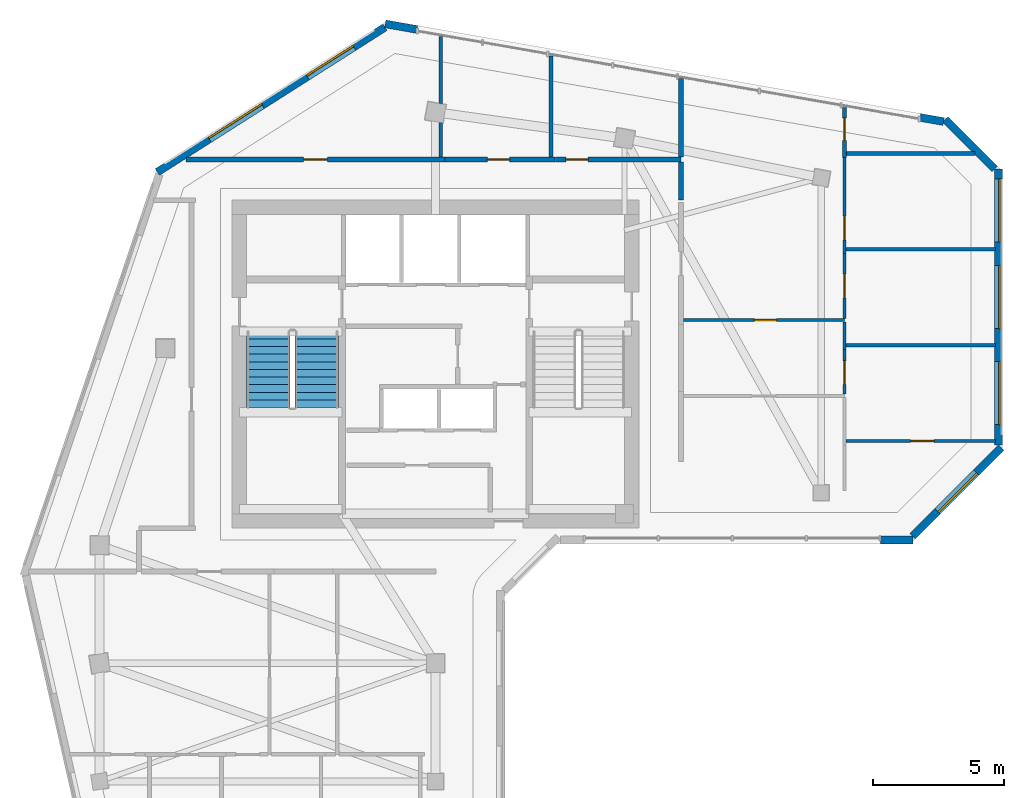
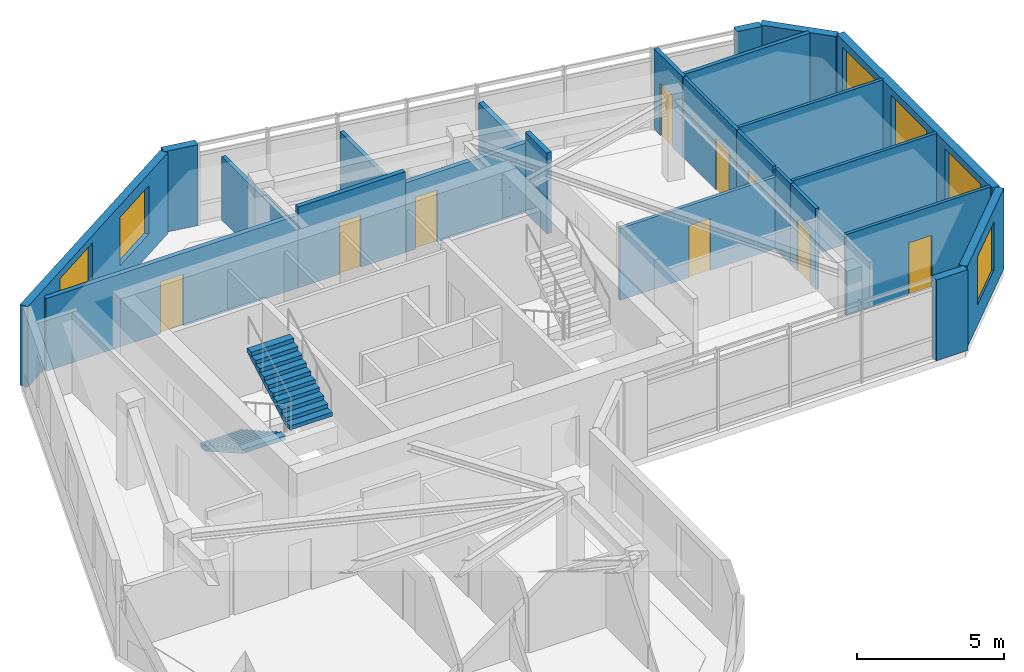
# One storey, part 6 of 10: 24 walls, 9 doors, 6 windows, 2 stair flights, 15 openings, 1 element without a shape of its own.
"""IFC4 building model written with IfcOpenShell, lengths in metres."""

from ifc_helpers import new_model, si_unit, direction, frame, frame_2d, origin, place, context, subcontext, project, spatial, polyline, rectangle, outline, extrude, source, transform, mapped, material, layer, layer_set, type_object, element, fill, aggregate, save


model = new_model("IFC4")

# Units and contexts
model_context = context("Model", 3, precision=1e-05, world=origin(), true_north=direction((0.0, 1.0)))
body_context = subcontext(model_context, "Body", "Model", "MODEL_VIEW")
ifc_project = project(units=[si_unit("LENGTHUNIT", "METRE"), si_unit("AREAUNIT", "SQUARE_METRE"), si_unit("VOLUMEUNIT", "CUBIC_METRE"), si_unit("PLANEANGLEUNIT", "RADIAN"), si_unit("MASSUNIT", "GRAM", prefix="KILO")], contexts=[model_context])

# Site, building, storey
site_placement = place(None, origin())
site = spatial("IfcSite", under=ifc_project, at=site_placement, CompositionType="ELEMENT")
building_placement = place(site_placement, origin())
building = spatial("IfcBuilding", under=site, at=building_placement, Name="Calvemar Wedge Station Tower", CompositionType="ELEMENT")
storey_placement = place(building_placement, frame((0.0, 0.0, 252.89990234375)))
storey = spatial("IfcBuildingStorey", under=building, at=storey_placement, Name="L64", CompositionType="ELEMENT", Elevation=252.89990234375)

# Wall, opening, door
ifc_material_1 = material(Name="Double-stud fire-rated corridor partition")
ifc_layer_1 = layer(ifc_material_1, 0.179931640625)
ifc_layer_set_1 = layer_set([ifc_layer_1], Name="Double-stud fire-rated corridor partition")
wall_type_1 = type_object("IfcWallType", Name="W-CORR-180", PredefinedType="PARTITIONING", material=ifc_layer_set_1)
wall_1_placement = place(storey_placement, frame((14.29541015625, 47.699951171875, 0.0), z_axis=(0.0, 0.0, 1.0), x_axis=(1.0, 0.0, 0.0)))
wall_1 = element("IfcWall", 1, at=wall_1_placement, inside=storey, type_object=wall_type_1, Name="Storey L64 Interior Partition WL-L64-014", PredefinedType="PARTITIONING", context=body_context, shape_type="SweptSolid", body=[
    extrude(rectangle(XDim=9.864501953125, YDim=0.179931640625, at=frame_2d((4.93212890625, 0.0))), origin(), (0.0, 0.0, 1.0), 3.01904296875),
])
shared_shape_1 = source(origin(), body_context, "Body", "SweptSolid", [
    extrude(rectangle(XDim=0.89990234375, YDim=2.14990234375, at=frame_2d((0.449951171875, 1.074951171875))), frame((0.0, 0.10009765625, 0.0), z_axis=(0.0, -1.0, 0.0), x_axis=(1.0, 0.0, 0.0)), (0.0, 0.0, 1.0), 0.199951171875),
])
opening_1_placement = place(wall_1_placement, frame((4.482421875, 0.0, 0.0)))
opening_1 = element("IfcOpeningElement", 2, at=opening_1_placement, cuts=wall_1, Name="Opening D-01", PredefinedType="OPENING", context=body_context, shape_type="MappedRepresentation", body=[
    mapped(shared_shape_1, transform((0.0, 0.0, 0.0), scale=1.0)),
])
ifc_material_2 = material(Name="Architectural hardwood acoustic swing door", Category="wood")
door_type_1 = type_object("IfcDoorType", Name="DR-INT-900", OperationType="NOTDEFINED", PredefinedType="DOOR", material=ifc_material_2)
shared_shape_2 = source(origin(), body_context, "Body", "SweptSolid", [
    extrude(rectangle(XDim=0.89990234375, YDim=2.14990234375, at=frame_2d((0.449951171875, 1.074951171875))), frame((0.0, 0.02490234375, 0.0), z_axis=(0.0, -1.0, 0.0), x_axis=(1.0, 0.0, 0.0)), (0.0, 0.0, 1.0), 0.050048828125),
])
door_1_placement = place(opening_1_placement, origin())
door_1 = element("IfcDoor", 3, at=door_1_placement, inside=storey, type_object=door_type_1, Name="L64 Sky Reading Library Door", OperationType="SINGLE_SWING_LEFT", OverallHeight=2.14990234375, OverallWidth=0.89990234375, PredefinedType="DOOR", context=body_context, shape_type="MappedRepresentation", body=[
    mapped(shared_shape_2, transform((0.0, 0.0, 0.0), scale=1.0)),
])
fill(opening_1, door_1)

wall_2_placement = place(storey_placement, frame((24.162109375, 47.699951171875, 0.0), z_axis=(0.0, 0.0, 1.0), x_axis=(1.0, 0.0, 0.0)))
wall_2 = element("IfcWall", 4, at=wall_2_placement, inside=storey, type_object=wall_type_1, Name="Storey L64 Interior Partition WL-L64-015", PredefinedType="PARTITIONING", context=body_context, shape_type="SweptSolid", body=[
    extrude(rectangle(XDim=4.197998046875, YDim=0.179931640625, at=frame_2d((2.09912109375, 0.0))), origin(), (0.0, 0.0, 1.0), 3.35009765625),
])
shared_shape_3 = source(origin(), body_context, "Body", "SweptSolid", [
    extrude(rectangle(XDim=0.85009765625, YDim=2.14990234375, at=frame_2d((0.425048828125, 1.074951171875))), frame((0.0, 0.10009765625, 0.0), z_axis=(0.0, -1.0, 0.0), x_axis=(1.0, 0.0, 0.0)), (0.0, 0.0, 1.0), 0.199951171875),
])
opening_2_placement = place(wall_2_placement, frame((1.61328125, 0.0, 0.0)))
opening_2 = element("IfcOpeningElement", 5, at=opening_2_placement, cuts=wall_2, Name="Opening D-02", PredefinedType="OPENING", context=body_context, shape_type="MappedRepresentation", body=[
    mapped(shared_shape_3, transform((0.0, 0.0, 0.0), scale=1.0)),
])
ifc_material_3 = material(Name="Moisture-sealed bathroom hardwood swing door", Category="wood")
door_type_2 = type_object("IfcDoorType", Name="DR-WET-850", OperationType="NOTDEFINED", PredefinedType="DOOR", material=ifc_material_3)
shared_shape_4 = source(origin(), body_context, "Body", "SweptSolid", [
    extrude(rectangle(XDim=0.85009765625, YDim=2.14990234375, at=frame_2d((0.425048828125, 1.074951171875))), frame((0.0, 0.02490234375, 0.0), z_axis=(0.0, -1.0, 0.0), x_axis=(1.0, 0.0, 0.0)), (0.0, 0.0, 1.0), 0.050048828125),
])
door_2_placement = place(opening_2_placement, origin())
door_2 = element("IfcDoor", 6, at=door_2_placement, inside=storey, type_object=door_type_2, Name="L64 Accessible WC Door", OperationType="SINGLE_SWING_RIGHT", OverallHeight=2.14990234375, OverallWidth=0.85009765625, PredefinedType="DOOR", context=body_context, shape_type="MappedRepresentation", body=[
    mapped(shared_shape_4, transform((0.0, 0.0, 0.0), scale=1.0)),
])
fill(opening_2, door_2)

wall_3_placement = place(storey_placement, frame((28.362060546875, 47.699951171875, 0.0), z_axis=(0.0, 0.0, 1.0), x_axis=(1.0, 0.0, 0.0)))
wall_3 = element("IfcWall", 7, at=wall_3_placement, inside=storey, type_object=wall_type_1, Name="Storey L64 Interior Partition WL-L64-016", PredefinedType="PARTITIONING", context=body_context, shape_type="SweptSolid", body=[
    extrude(rectangle(XDim=4.787841796875, YDim=0.179931640625, at=frame_2d((2.39404296875, 0.0))), origin(), (0.0, 0.0, 1.0), 2.879150390625),
])
opening_3_placement = place(wall_3_placement, frame((0.400634765625, 0.0, 0.0)))
opening_3 = element("IfcOpeningElement", 8, at=opening_3_placement, cuts=wall_3, Name="Opening D-02", PredefinedType="OPENING", context=body_context, shape_type="MappedRepresentation", body=[
    mapped(shared_shape_3, transform((0.0, 0.0, 0.0), scale=1.0)),
])
door_3_placement = place(opening_3_placement, origin())
door_3 = element("IfcDoor", 9, at=door_3_placement, inside=storey, type_object=door_type_2, Name="L64 Storage Room Door", OperationType="SINGLE_SWING_LEFT", OverallHeight=2.14990234375, OverallWidth=0.85009765625, PredefinedType="DOOR", context=body_context, shape_type="MappedRepresentation", body=[
    mapped(shared_shape_4, transform((0.0, 0.0, 0.0), scale=1.0)),
])
fill(opening_3, door_3)

# Walls
wall_4_placement = place(storey_placement, frame((33.14990234375, 47.60595703125, 0.0), z_axis=(0.0, 0.0, 1.0), x_axis=(0.0, -1.0, 0.0)))
element("IfcWall", 10, at=wall_4_placement, inside=storey, type_object=wall_type_1, Name="Storey L64 Interior Partition WL-L64-017", PredefinedType="PARTITIONING", context=body_context, shape_type="SweptSolid", body=[
    extrude(rectangle(XDim=1.4560546875, YDim=0.179931640625, at=frame_2d((0.72802734375, 0.0))), origin(), (0.0, 0.0, 1.0), 3.35009765625),
])
ifc_material_4 = material(Name="Twin-stud fire-rated inter-tenancy wall")
ifc_layer_2 = layer(ifc_material_4, 0.199951171875)
ifc_layer_set_2 = layer_set([ifc_layer_2], Name="Twin-stud fire-rated inter-tenancy wall")
wall_type_2 = type_object("IfcWallType", Name="W-DEMISE-200", PredefinedType="PARTITIONING", material=ifc_layer_set_2)
wall_5_placement = place(storey_placement, frame((33.14990234375, 50.7802734375, 0.0), z_axis=(0.0, 0.0, 1.0), x_axis=(0.0, -1.0, 0.0)))
element("IfcWall", 11, at=wall_5_placement, inside=storey, type_object=wall_type_2, Name="Storey L64 Interior Partition WL-L64-024", PredefinedType="PARTITIONING", context=body_context, shape_type="SweptSolid", body=[
    extrude(rectangle(XDim=2.986328125, YDim=0.199951171875, at=frame_2d((1.4931640625, 0.0))), origin(), (0.0, 0.0, 1.0), 2.64208984375),
])
ifc_material_5 = material(Name="Precast concrete C45", Category="concrete")
ifc_layer_3 = layer(ifc_material_5, 0.300048828125)
ifc_layer_set_3 = layer_set([ifc_layer_3], Name="Precast concrete C45")
wall_type_3 = type_object("IfcWallType", Name="W-EXT-GFRC-300", PredefinedType="SOLIDWALL", material=ifc_layer_set_3)
wall_6_placement = place(storey_placement, frame((40.7578125, 33.2060546875, 0.0), z_axis=(0.0, 0.0, 1.0), x_axis=(1.0, 0.0, 0.0)))
element("IfcWall", 12, at=wall_6_placement, inside=storey, type_object=wall_type_3, Name="Storey L64 Bronze GFRC Corner Pier 6B", PredefinedType="SOLIDWALL", context=body_context, shape_type="SweptSolid", body=[
    extrude(rectangle(XDim=1.22998046875, YDim=0.300048828125, at=frame_2d((0.614990234375, 0.0))), origin(), (0.0, 0.0, 1.0), 3.35009765625),
])

# Wall, opening, window
wall_7_placement = place(storey_placement, frame((41.975830078125, 33.343994140625, 0.0), z_axis=(0.0, 0.0, 1.0), x_axis=(0.707132316343, 0.707081245108, 0.0)))
wall_7 = element("IfcWall", 13, at=wall_7_placement, inside=storey, type_object=wall_type_3, Name="Storey L64 Bronze GFRC Exterior Wall 7", PredefinedType="SOLIDWALL", context=body_context, shape_type="SweptSolid", body=[
    extrude(rectangle(XDim=4.7802734375, YDim=0.300048828125, at=frame_2d((2.39013671875, 0.0))), origin(), (0.0, 0.0, 1.0), 3.35009765625),
])
shared_shape_5 = source(origin(), body_context, "Body", "SweptSolid", [
    extrude(rectangle(XDim=2.10009765625, YDim=2.0, at=frame_2d((1.050048828125, 1.0))), frame((0.0, 0.16015625, 0.0), z_axis=(0.0, -1.0, 0.0), x_axis=(1.0, 0.0, 0.0)), (0.0, 0.0, 1.0), 0.320068359375),
])
opening_4_placement = place(wall_7_placement, frame((1.340087890625, 0.0, 0.85009765625)))
opening_4 = element("IfcOpeningElement", 14, at=opening_4_placement, cuts=wall_7, Name="Opening W4", PredefinedType="OPENING", context=body_context, shape_type="MappedRepresentation", body=[
    mapped(shared_shape_5, transform((0.0, 0.0, 0.0), scale=1.0)),
])
ifc_material_6 = material(Name="Low-E laminated insulated glass", Category="glass")
window_type_1 = type_object("IfcWindowType", Name="WIN-EXT-4", PartitioningType="SINGLE_PANEL", PredefinedType="WINDOW", material=ifc_material_6)
shared_shape_6 = source(origin(), body_context, "Body", "SweptSolid", [
    extrude(rectangle(XDim=2.10009765625, YDim=2.0, at=frame_2d((1.050048828125, 1.0))), frame((0.0, -0.014892578125, 0.0), z_axis=(0.0, -1.0, 0.0), x_axis=(1.0, 0.0, 0.0)), (0.0, 0.0, 1.0), 0.06005859375),
])
window_1_placement = place(opening_4_placement, origin())
window_1 = element("IfcWindow", 15, at=window_1_placement, inside=storey, type_object=window_type_1, Name="Storey L64 Recessed Window 7.1", OverallHeight=2.0, OverallWidth=2.10009765625, PartitioningType="SINGLE_PANEL", PredefinedType="WINDOW", context=body_context, shape_type="MappedRepresentation", body=[
    mapped(shared_shape_6, transform((0.0, 0.0, 0.0), scale=1.0)),
])
fill(opening_4, window_1)

# Wall, openings, windows
wall_8_placement = place(storey_placement, frame((45.25, 36.813232421875, 0.0), z_axis=(0.0, 0.0, 1.0), x_axis=(0.0, 1.0, 0.0)))
wall_8 = element("IfcWall", 16, at=wall_8_placement, inside=storey, type_object=wall_type_3, Name="Storey L64 Bronze GFRC Exterior Wall 8", PredefinedType="SOLIDWALL", context=body_context, shape_type="SweptSolid", body=[
    extrude(rectangle(XDim=10.53076171875, YDim=0.300048828125, at=frame_2d((5.265380859375, 0.0))), origin(), (0.0, 0.0, 1.0), 3.35009765625),
])
shared_shape_7 = source(origin(), body_context, "Body", "SweptSolid", [
    extrude(rectangle(XDim=2.39990234375, YDim=2.199951171875, at=frame_2d((1.199951171875, 1.10009765625))), frame((0.0, 0.16015625, 0.0), z_axis=(0.0, -1.0, 0.0), x_axis=(1.0, 0.0, 0.0)), (0.0, 0.0, 1.0), 0.320068359375),
])
opening_5_placement = place(wall_8_placement, frame((0.785888671875, 0.0, 0.85009765625)))
opening_5 = element("IfcOpeningElement", 17, at=opening_5_placement, cuts=wall_8, Name="Opening W1", PredefinedType="OPENING", context=body_context, shape_type="MappedRepresentation", body=[
    mapped(shared_shape_7, transform((0.0, 0.0, 0.0), scale=1.0)),
])
opening_6_placement = place(wall_8_placement, frame((4.43896484375, 0.0, 0.85009765625)))
opening_6 = element("IfcOpeningElement", 18, at=opening_6_placement, cuts=wall_8, Name="Opening W1", PredefinedType="OPENING", context=body_context, shape_type="MappedRepresentation", body=[
    mapped(shared_shape_7, transform((0.0, 0.0, 0.0), scale=1.0)),
])
opening_7_placement = place(wall_8_placement, frame((7.748046875, 0.0, 0.85009765625)))
opening_7 = element("IfcOpeningElement", 19, at=opening_7_placement, cuts=wall_8, Name="Opening W1", PredefinedType="OPENING", context=body_context, shape_type="MappedRepresentation", body=[
    mapped(shared_shape_7, transform((0.0, 0.0, 0.0), scale=1.0)),
])
window_type_2 = type_object("IfcWindowType", Name="WIN-EXT-1", PartitioningType="SINGLE_PANEL", PredefinedType="WINDOW", material=ifc_material_6)
shared_shape_8 = source(origin(), body_context, "Body", "SweptSolid", [
    extrude(rectangle(XDim=2.39990234375, YDim=2.199951171875, at=frame_2d((1.199951171875, 1.10009765625))), frame((0.0, -0.014892578125, 0.0), z_axis=(0.0, -1.0, 0.0), x_axis=(1.0, 0.0, 0.0)), (0.0, 0.0, 1.0), 0.06005859375),
])
window_2_placement = place(opening_5_placement, origin())
window_2 = element("IfcWindow", 20, at=window_2_placement, inside=storey, type_object=window_type_2, Name="Storey L64 Recessed Window 8.1", OverallHeight=2.199951171875, OverallWidth=2.39990234375, PartitioningType="SINGLE_PANEL", PredefinedType="WINDOW", context=body_context, shape_type="MappedRepresentation", body=[
    mapped(shared_shape_8, transform((0.0, 0.0, 0.0), scale=1.0)),
])
fill(opening_5, window_2)
window_3_placement = place(opening_6_placement, origin())
window_3 = element("IfcWindow", 21, at=window_3_placement, inside=storey, type_object=window_type_2, Name="Storey L64 Recessed Window 8.2", OverallHeight=2.199951171875, OverallWidth=2.39990234375, PartitioningType="SINGLE_PANEL", PredefinedType="WINDOW", context=body_context, shape_type="MappedRepresentation", body=[
    mapped(shared_shape_8, transform((0.0, 0.0, 0.0), scale=1.0)),
])
fill(opening_6, window_3)
window_4_placement = place(opening_7_placement, origin())
window_4 = element("IfcWindow", 22, at=window_4_placement, inside=storey, type_object=window_type_2, Name="Storey L64 Recessed Window 8.3", OverallHeight=2.199951171875, OverallWidth=2.39990234375, PartitioningType="SINGLE_PANEL", PredefinedType="WINDOW", context=body_context, shape_type="MappedRepresentation", body=[
    mapped(shared_shape_8, transform((0.0, 0.0, 0.0), scale=1.0)),
])
fill(opening_7, window_4)

# Walls
wall_9_placement = place(storey_placement, frame((45.112060546875, 47.331787109375, 0.0), z_axis=(0.0, 0.0, 1.0), x_axis=(-0.707106781187, 0.707106781187, 0.0)))
element("IfcWall", 23, at=wall_9_placement, inside=storey, type_object=wall_type_3, Name="Storey L64 Bronze GFRC Exterior Wall 9", PredefinedType="SOLIDWALL", context=body_context, shape_type="SweptSolid", body=[
    extrude(rectangle(XDim=2.673828125, YDim=0.300048828125, at=frame_2d((1.3369140625, 0.0))), origin(), (0.0, 0.0, 1.0), 3.35009765625),
])
wall_10_placement = place(storey_placement, frame((43.161376953125, 49.1455078125, 0.0), z_axis=(0.0, 0.0, 1.0), x_axis=(-0.985052066521, 0.172256861238, 0.0)))
element("IfcWall", 24, at=wall_10_placement, inside=storey, type_object=wall_type_3, Name="Storey L64 Bronze GFRC Corner Pier 10A", PredefinedType="SOLIDWALL", context=body_context, shape_type="SweptSolid", body=[
    extrude(rectangle(XDim=0.911376953125, YDim=0.300048828125, at=frame_2d((0.45556640625, 0.0))), origin(), (0.0, 0.0, 1.0), 3.35009765625),
])
wall_11_placement = place(storey_placement, frame((23.09521484375, 52.656005859375, 0.0), z_axis=(0.0, 0.0, 1.0), x_axis=(-0.985008549623, 0.172505527937, 0.0)))
element("IfcWall", 25, at=wall_11_placement, inside=storey, type_object=wall_type_3, Name="Storey L64 Bronze GFRC Corner Pier 10B", PredefinedType="SOLIDWALL", context=body_context, shape_type="SweptSolid", body=[
    extrude(rectangle(XDim=1.22998046875, YDim=0.300048828125, at=frame_2d((0.614990234375, 0.0))), origin(), (0.0, 0.0, 1.0), 3.35009765625),
])

# Wall, openings, windows
wall_12_placement = place(storey_placement, frame((21.873779296875, 52.741943359375, 0.0), z_axis=(0.0, 0.0, 1.0), x_axis=(-0.84365659959, -0.536883173482, 0.0)))
wall_12 = element("IfcWall", 26, at=wall_12_placement, inside=storey, type_object=wall_type_3, Name="Storey L64 Bronze GFRC Exterior Wall 11", PredefinedType="SOLIDWALL", context=body_context, shape_type="SweptSolid", body=[
    extrude(rectangle(XDim=10.282958984375, YDim=0.300048828125, at=frame_2d((5.1416015625, 0.0))), origin(), (0.0, 0.0, 1.0), 3.35009765625),
])
opening_8_placement = place(wall_12_placement, frame((1.409912109375, 0.0, 0.85009765625)))
opening_8 = element("IfcOpeningElement", 27, at=opening_8_placement, cuts=wall_12, Name="Opening W4", PredefinedType="OPENING", context=body_context, shape_type="MappedRepresentation", body=[
    mapped(shared_shape_5, transform((0.0, 0.0, 0.0), scale=1.0)),
])
opening_9_placement = place(wall_12_placement, frame((5.5400390625, 0.0, 0.85009765625)))
opening_9 = element("IfcOpeningElement", 28, at=opening_9_placement, cuts=wall_12, Name="Opening W1", PredefinedType="OPENING", context=body_context, shape_type="MappedRepresentation", body=[
    mapped(shared_shape_7, transform((0.0, 0.0, 0.0), scale=1.0)),
])
window_5_placement = place(opening_8_placement, origin())
window_5 = element("IfcWindow", 29, at=window_5_placement, inside=storey, type_object=window_type_1, Name="Storey L64 Recessed Window 11.1", OverallHeight=2.0, OverallWidth=2.10009765625, PartitioningType="SINGLE_PANEL", PredefinedType="WINDOW", context=body_context, shape_type="MappedRepresentation", body=[
    mapped(shared_shape_6, transform((0.0, 0.0, 0.0), scale=1.0)),
])
fill(opening_8, window_5)
window_6_placement = place(opening_9_placement, origin())
window_6 = element("IfcWindow", 30, at=window_6_placement, inside=storey, type_object=window_type_2, Name="Storey L64 Recessed Window 11.2", OverallHeight=2.199951171875, OverallWidth=2.39990234375, PartitioningType="SINGLE_PANEL", PredefinedType="WINDOW", context=body_context, shape_type="MappedRepresentation", body=[
    mapped(shared_shape_8, transform((0.0, 0.0, 0.0), scale=1.0)),
])
fill(opening_9, window_6)

# Wall, opening, door
ifc_material_7 = material(Name="Insulated acoustic gypsum stud partition")
ifc_layer_4 = layer(ifc_material_7, 0.125)
ifc_layer_set_4 = layer_set([ifc_layer_4], Name="Insulated acoustic gypsum stud partition")
wall_type_4 = type_object("IfcWallType", Name="W-PART-125", PredefinedType="PARTITIONING", material=ifc_layer_set_4)
wall_13_placement = place(storey_placement, frame((39.382080078125, 41.580078125, 0.0), z_axis=(0.0, 0.0, 1.0), x_axis=(-1.0, 0.0, 0.0)))
wall_13 = element("IfcWall", 31, at=wall_13_placement, inside=storey, type_object=wall_type_4, Name="Storey L64 Interior Partition WL-L64-028", PredefinedType="PARTITIONING", context=body_context, shape_type="SweptSolid", body=[
    extrude(rectangle(XDim=6.13818359375, YDim=0.125, at=frame_2d((3.069091796875, 0.0))), origin(), (0.0, 0.0, 1.0), 2.97900390625),
])
shared_shape_9 = source(origin(), body_context, "Body", "SweptSolid", [
    extrude(rectangle(XDim=0.85009765625, YDim=2.14990234375, at=frame_2d((0.425048828125, 1.074951171875))), frame((0.0, 0.072509765625, 0.0), z_axis=(0.0, -1.0, 0.0), x_axis=(1.0, 0.0, 0.0)), (0.0, 0.0, 1.0), 0.14501953125),
])
opening_10_placement = place(wall_13_placement, frame((2.58349609375, 0.0, 0.0)))
opening_10 = element("IfcOpeningElement", 32, at=opening_10_placement, cuts=wall_13, Name="Opening D-02", PredefinedType="OPENING", context=body_context, shape_type="MappedRepresentation", body=[
    mapped(shared_shape_9, transform((0.0, 0.0, 0.0), scale=1.0)),
])
door_4_placement = place(opening_10_placement, origin())
door_4 = element("IfcDoor", 33, at=door_4_placement, inside=storey, type_object=door_type_2, Name="L64 Kitchen Door", OperationType="SINGLE_SWING_RIGHT", OverallHeight=2.14990234375, OverallWidth=0.85009765625, PredefinedType="DOOR", context=body_context, shape_type="MappedRepresentation", body=[
    mapped(shared_shape_4, transform((0.0, 0.0, 0.0), scale=1.0)),
])
fill(opening_10, door_4)

wall_14_placement = place(storey_placement, frame((39.382080078125, 47.76806640625, 0.0), z_axis=(0.0, 0.0, 1.0), x_axis=(0.0, -1.0, 0.0)))
wall_14 = element("IfcWall", 34, at=wall_14_placement, inside=storey, type_object=wall_type_4, Name="Storey L64 Interior Partition WL-L64-030", PredefinedType="PARTITIONING", context=body_context, shape_type="SweptSolid", body=[
    extrude(rectangle(XDim=3.650146484375, YDim=0.125, at=frame_2d((1.8251953125, 0.0))), origin(), (0.0, 0.0, 1.0), 3.35009765625),
])
shared_shape_10 = source(origin(), body_context, "Body", "SweptSolid", [
    extrude(rectangle(XDim=0.89990234375, YDim=2.14990234375, at=frame_2d((0.449951171875, 1.074951171875))), frame((0.0, 0.072509765625, 0.0), z_axis=(0.0, -1.0, 0.0), x_axis=(1.0, 0.0, 0.0)), (0.0, 0.0, 1.0), 0.14501953125),
])
opening_11_placement = place(wall_14_placement, frame((2.226806640625, 0.0, 0.0)))
opening_11 = element("IfcOpeningElement", 35, at=opening_11_placement, cuts=wall_14, Name="Opening D-01", PredefinedType="OPENING", context=body_context, shape_type="MappedRepresentation", body=[
    mapped(shared_shape_10, transform((0.0, 0.0, 0.0), scale=1.0)),
])
door_5_placement = place(opening_11_placement, origin())
door_5 = element("IfcDoor", 36, at=door_5_placement, inside=storey, type_object=door_type_1, Name="L64 Master Bedroom Door", OperationType="SINGLE_SWING_RIGHT", OverallHeight=2.14990234375, OverallWidth=0.89990234375, PredefinedType="DOOR", context=body_context, shape_type="MappedRepresentation", body=[
    mapped(shared_shape_2, transform((0.0, 0.0, 0.0), scale=1.0)),
])
fill(opening_11, door_5)

wall_15_placement = place(storey_placement, frame((39.382080078125, 44.115966796875, 0.0), z_axis=(0.0, 0.0, 1.0), x_axis=(0.0, -1.0, 0.0)))
wall_15 = element("IfcWall", 37, at=wall_15_placement, inside=storey, type_object=wall_type_4, Name="Storey L64 Interior Partition WL-L64-031", PredefinedType="PARTITIONING", context=body_context, shape_type="SweptSolid", body=[
    extrude(rectangle(XDim=2.469482421875, YDim=0.125, at=frame_2d((1.23486328125, 0.0))), origin(), (0.0, 0.0, 1.0), 3.35009765625),
])
opening_12_placement = place(wall_15_placement, frame((0.78466796875, 0.0, 0.0)))
opening_12 = element("IfcOpeningElement", 38, at=opening_12_placement, cuts=wall_15, Name="Opening D-01", PredefinedType="OPENING", context=body_context, shape_type="MappedRepresentation", body=[
    mapped(shared_shape_10, transform((0.0, 0.0, 0.0), scale=1.0)),
])
door_6_placement = place(opening_12_placement, origin())
door_6 = element("IfcDoor", 39, at=door_6_placement, inside=storey, type_object=door_type_1, Name="L64 Bedroom Door", OperationType="SINGLE_SWING_LEFT", OverallHeight=2.14990234375, OverallWidth=0.89990234375, PredefinedType="DOOR", context=body_context, shape_type="MappedRepresentation", body=[
    mapped(shared_shape_2, transform((0.0, 0.0, 0.0), scale=1.0)),
])
fill(opening_12, door_6)

# Wall
wall_16_placement = place(storey_placement, frame((39.382080078125, 41.513427734375, 0.0), z_axis=(0.0, 0.0, 1.0), x_axis=(0.0, -1.0, 0.0)))
element("IfcWall", 40, at=wall_16_placement, inside=storey, type_object=wall_type_4, Name="Storey L64 Interior Partition WL-L64-032", PredefinedType="PARTITIONING", context=body_context, shape_type="SweptSolid", body=[
    extrude(rectangle(XDim=1.04736328125, YDim=0.125, at=frame_2d((0.523681640625, 0.0))), origin(), (0.0, 0.0, 1.0), 3.35009765625),
])

# Wall, opening, door
wall_17_placement = place(storey_placement, frame((39.382080078125, 40.464111328125, 0.0), z_axis=(0.0, 0.0, 1.0), x_axis=(0.0, -1.0, 0.0)))
wall_17 = element("IfcWall", 41, at=wall_17_placement, inside=storey, type_object=wall_type_4, Name="Storey L64 Interior Partition WL-L64-033", PredefinedType="PARTITIONING", context=body_context, shape_type="SweptSolid", body=[
    extrude(rectangle(XDim=1.70556640625, YDim=0.125, at=frame_2d((0.852783203125, 0.0))), origin(), (0.0, 0.0, 1.0), 3.35009765625),
])
opening_13_placement = place(wall_17_placement, frame((0.433349609375, 0.0, 0.0)))
opening_13 = element("IfcOpeningElement", 42, at=opening_13_placement, cuts=wall_17, Name="Opening D-01", PredefinedType="OPENING", context=body_context, shape_type="MappedRepresentation", body=[
    mapped(shared_shape_10, transform((0.0, 0.0, 0.0), scale=1.0)),
])
door_7_placement = place(opening_13_placement, origin())
door_7 = element("IfcDoor", 43, at=door_7_placement, inside=storey, type_object=door_type_1, Name="L64 Bedroom Door", OperationType="SINGLE_SWING_RIGHT", OverallHeight=2.14990234375, OverallWidth=0.89990234375, PredefinedType="DOOR", context=body_context, shape_type="MappedRepresentation", body=[
    mapped(shared_shape_2, transform((0.0, 0.0, 0.0), scale=1.0)),
])
fill(opening_13, door_7)

# Walls
for number, where, z_axis, x_axis, name in (
    (44, (45.135009765625, 44.278076171875, 0.0), (0.0, 0.0, 1.0), (-1.0, 0.0, 0.0), "Storey L64 Interior Partition WL-L64-035"),
    (45, (45.135009765625, 40.6259765625, 0.0), (0.0, 0.0, 1.0), (-1.0, 0.0, 0.0), "Storey L64 Interior Partition WL-L64-036"),
):
    element("IfcWall", number, at=place(storey_placement, frame(where, z_axis=z_axis, x_axis=x_axis)), inside=storey, type_object=wall_type_4, Name=name, PredefinedType="PARTITIONING", context=body_context, shape_type="SweptSolid", body=[
        extrude(rectangle(XDim=5.6865234375, YDim=0.125, at=frame_2d((2.84326171875, 0.0))), origin(), (0.0, 0.0, 1.0), 3.35009765625),
    ])

# Wall, opening, door
wall_18_placement = place(storey_placement, frame((45.135009765625, 36.972900390625, 0.0), z_axis=(0.0, 0.0, 1.0), x_axis=(-1.0, 0.0, 0.0)))
wall_18 = element("IfcWall", 46, at=wall_18_placement, inside=storey, type_object=wall_type_4, Name="Storey L64 Interior Partition WL-L64-037", PredefinedType="PARTITIONING", context=body_context, shape_type="SweptSolid", body=[
    extrude(rectangle(XDim=5.6865234375, YDim=0.125, at=frame_2d((2.84326171875, 0.0))), origin(), (0.0, 0.0, 1.0), 3.35009765625),
])
opening_14_placement = place(wall_18_placement, frame((2.3330078125, 0.0, 0.0)))
opening_14 = element("IfcOpeningElement", 47, at=opening_14_placement, cuts=wall_18, Name="Opening D-01", PredefinedType="OPENING", context=body_context, shape_type="MappedRepresentation", body=[
    mapped(shared_shape_10, transform((0.0, 0.0, 0.0), scale=1.0)),
])
door_8_placement = place(opening_14_placement, origin())
door_8 = element("IfcDoor", 48, at=door_8_placement, inside=storey, type_object=door_type_1, Name="L64 Study Door", OperationType="SINGLE_SWING_LEFT", OverallHeight=2.14990234375, OverallWidth=0.89990234375, PredefinedType="DOOR", context=body_context, shape_type="MappedRepresentation", body=[
    mapped(shared_shape_2, transform((0.0, 0.0, 0.0), scale=1.0)),
])
fill(opening_14, door_8)

# Walls
ifc_material_8 = material(Name="Moisture-resistant acoustic bathroom partition")
ifc_layer_5 = layer(ifc_material_8, 0.14990234375)
ifc_layer_set_5 = layer_set([ifc_layer_5], Name="Moisture-resistant acoustic bathroom partition")
wall_type_5 = type_object("IfcWallType", Name="W-WET-150", PredefinedType="PARTITIONING", material=ifc_layer_set_5)
wall_19_placement = place(storey_placement, frame((24.0, 52.381103515625, 0.0), z_axis=(0.0, 0.0, 1.0), x_axis=(0.0, -1.0, 0.0)))
element("IfcWall", 49, at=wall_19_placement, inside=storey, type_object=wall_type_5, Name="Storey L64 Interior Partition WL-L64-022", PredefinedType="PARTITIONING", context=body_context, shape_type="SweptSolid", body=[
    extrude(rectangle(XDim=4.587158203125, YDim=0.14990234375, at=frame_2d((2.29345703125, 0.0))), origin(), (0.0, 0.0, 1.0), 2.64208984375),
])
wall_20_placement = place(storey_placement, frame((28.199951171875, 51.646240234375, 0.0), z_axis=(0.0, 0.0, 1.0), x_axis=(0.0, -1.0, 0.0)))
element("IfcWall", 50, at=wall_20_placement, inside=storey, type_object=wall_type_5, Name="Storey L64 Interior Partition WL-L64-023", PredefinedType="PARTITIONING", context=body_context, shape_type="SweptSolid", body=[
    extrude(rectangle(XDim=3.852294921875, YDim=0.14990234375, at=frame_2d((1.92626953125, 0.0))), origin(), (0.0, 0.0, 1.0), 2.64208984375),
])

# Wall, opening, door
wall_21_placement = place(storey_placement, frame((39.382080078125, 49.68994140625, 0.0), z_axis=(0.0, 0.0, 1.0), x_axis=(0.0, -1.0, 0.0)))
wall_21 = element("IfcWall", 51, at=wall_21_placement, inside=storey, type_object=wall_type_5, Name="Storey L64 Interior Partition WL-L64-029", PredefinedType="PARTITIONING", context=body_context, shape_type="SweptSolid", body=[
    extrude(rectangle(XDim=1.919921875, YDim=0.14990234375, at=frame_2d((0.9599609375, 0.0))), origin(), (0.0, 0.0, 1.0), 3.35009765625),
])
shared_shape_11 = source(origin(), body_context, "Body", "SweptSolid", [
    extrude(rectangle(XDim=0.85009765625, YDim=2.14990234375, at=frame_2d((0.425048828125, 1.074951171875))), frame((0.0, 0.0849609375, 0.0), z_axis=(0.0, -1.0, 0.0), x_axis=(1.0, 0.0, 0.0)), (0.0, 0.0, 1.0), 0.169921875),
])
opening_15_placement = place(wall_21_placement, frame((0.407470703125, 0.0, 0.0)))
opening_15 = element("IfcOpeningElement", 52, at=opening_15_placement, cuts=wall_21, Name="Opening D-02", PredefinedType="OPENING", context=body_context, shape_type="MappedRepresentation", body=[
    mapped(shared_shape_11, transform((0.0, 0.0, 0.0), scale=1.0)),
])
door_9_placement = place(opening_15_placement, origin())
door_9 = element("IfcDoor", 53, at=door_9_placement, inside=storey, type_object=door_type_2, Name="L64 Bathroom Door", OperationType="SINGLE_SWING_LEFT", OverallHeight=2.14990234375, OverallWidth=0.85009765625, PredefinedType="DOOR", context=body_context, shape_type="MappedRepresentation", body=[
    mapped(shared_shape_4, transform((0.0, 0.0, 0.0), scale=1.0)),
])
fill(opening_15, door_9)

# Wall
wall_22_placement = place(storey_placement, frame((44.351318359375, 47.929931640625, 0.0), z_axis=(0.0, 0.0, 1.0), x_axis=(-1.0, 0.0, 0.0)))
element("IfcWall", 54, at=wall_22_placement, inside=storey, type_object=wall_type_5, Name="Storey L64 Interior Partition WL-L64-034", PredefinedType="PARTITIONING", context=body_context, shape_type="SweptSolid", body=[
    extrude(rectangle(XDim=4.890380859375, YDim=0.14990234375, at=frame_2d((2.4453125, 0.0))), origin(), (0.0, 0.0, 1.0), 3.35009765625),
])

# Stair, stair flights
ifc_material_9 = material(Name="Concrete C45", Category="concrete")
stair_type = type_object("IfcStairType", Name="ST-TYPE-3600", PredefinedType="HALF_TURN_STAIR", material=ifc_material_9)
stair_placement = place(storey_placement, origin())
stair = element("IfcStair", 55, at=stair_placement, inside=storey, type_object=stair_type, Name="L64 Pressurized Core Exit Stair ST-C1", PredefinedType="HALF_TURN_STAIR")
stair_flight_type = type_object("IfcStairFlightType", Name="STF-TYPE-3600", PredefinedType="STRAIGHT", material=ifc_material_9)
stair_flight_1_placement = place(storey_placement, frame((17.429931640625, 41.14990234375, 0.0), z_axis=(0.0, 0.0, 1.0), x_axis=(0.0, -1.0, 0.0)))
stair_flight_1 = element("IfcStairFlight", 56, at=stair_flight_1_placement, type_object=stair_flight_type, Name="ST-C1 flight 1", NumberOfRisers=11, NumberOfTreads=10, PredefinedType="STRAIGHT", RiserHeight=0.163636364, TreadLength=0.29, context=body_context, shape_type="SweptSolid", body=[
    extrude(outline(polyline([(0.0, 0.0), (0.0, 0.16357421875), (0.2900390625, 0.16357421875), (0.2900390625, 0.327392578125), (0.580078125, 0.327392578125), (0.580078125, 0.490966796875), (0.8701171875, 0.490966796875), (0.8701171875, 0.654541015625), (1.159912109375, 0.654541015625), (1.159912109375, 0.818115234375), (1.449951171875, 0.818115234375), (1.449951171875, 0.98193359375), (1.739990234375, 0.98193359375), (1.739990234375, 1.1455078125), (2.030029296875, 1.1455078125), (2.030029296875, 1.30908203125), (2.320068359375, 1.30908203125), (2.320068359375, 1.47265625), (2.610107421875, 1.47265625), (2.610107421875, 1.636474609375), (2.89990234375, 1.636474609375), (2.89990234375, 1.800048828125), (2.89990234375, 1.46435546875), (0.304931640625, 0.0), (0.0, 0.0)])), frame((0.0, 0.830078125, 0.0), z_axis=(0.0, -1.0, 0.0), x_axis=(1.0, 0.0, 0.0)), (0.0, 0.0, 1.0), 1.659912109375),
])
stair_flight_2_placement = place(storey_placement, frame((19.27001953125, 38.25, 1.800048828125), z_axis=(0.0, 0.0, 1.0), x_axis=(0.0, 1.0, 0.0)))
stair_flight_2 = element("IfcStairFlight", 57, at=stair_flight_2_placement, type_object=stair_flight_type, Name="ST-C1 flight 2", NumberOfRisers=11, NumberOfTreads=10, PredefinedType="STRAIGHT", RiserHeight=0.163636364, TreadLength=0.29, context=body_context, shape_type="SweptSolid", body=[
    extrude(outline(polyline([(0.0, 0.0), (0.0, 0.16357421875), (0.2900390625, 0.16357421875), (0.2900390625, 0.327392578125), (0.580078125, 0.327392578125), (0.580078125, 0.490966796875), (0.8701171875, 0.490966796875), (0.8701171875, 0.654541015625), (1.159912109375, 0.654541015625), (1.159912109375, 0.818115234375), (1.449951171875, 0.818115234375), (1.449951171875, 0.98193359375), (1.739990234375, 0.98193359375), (1.739990234375, 1.1455078125), (2.030029296875, 1.1455078125), (2.030029296875, 1.30908203125), (2.320068359375, 1.30908203125), (2.320068359375, 1.47265625), (2.610107421875, 1.47265625), (2.610107421875, 1.636474609375), (2.89990234375, 1.636474609375), (2.89990234375, 1.800048828125), (2.89990234375, 1.46435546875), (0.304931640625, 0.0), (0.0, 0.0)])), frame((0.0, 0.830078125, 0.0), z_axis=(0.0, -1.0, 0.0), x_axis=(1.0, 0.0, 0.0)), (0.0, 0.0, 1.0), 1.659912109375),
])
aggregate(stair, [stair_flight_1, stair_flight_2])

save(model, "model.ifc")
